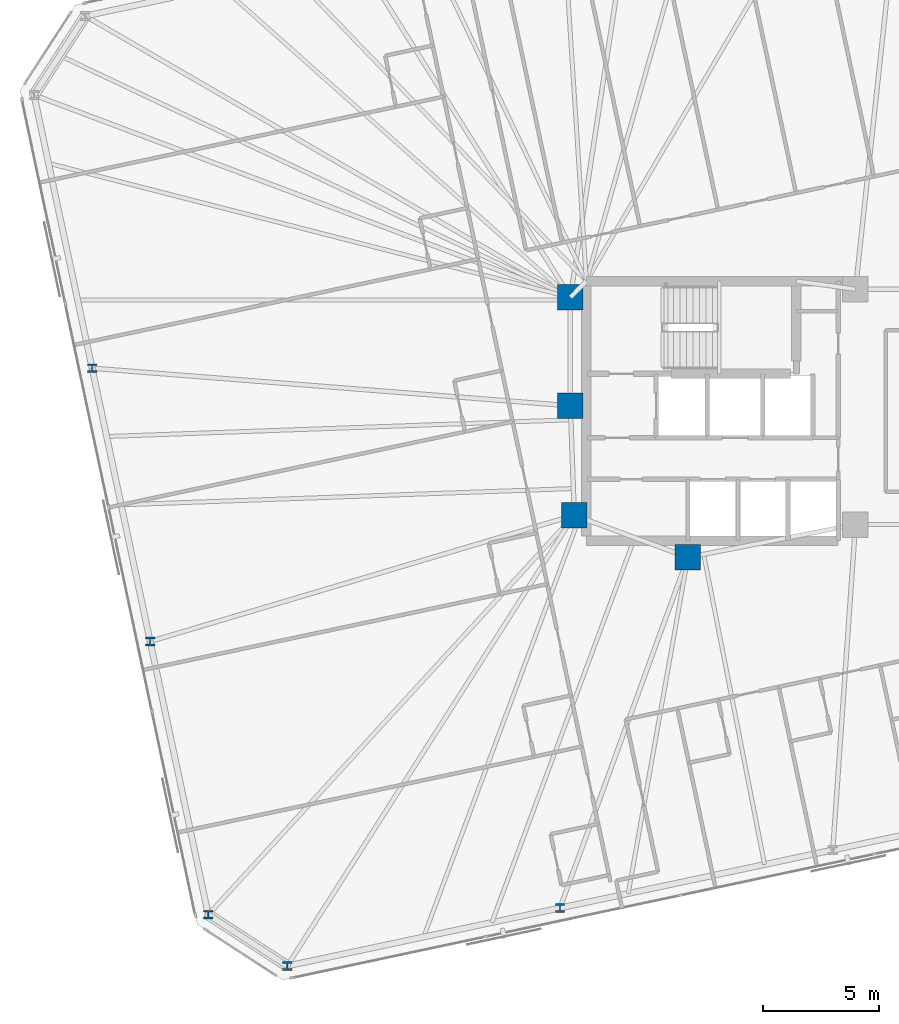
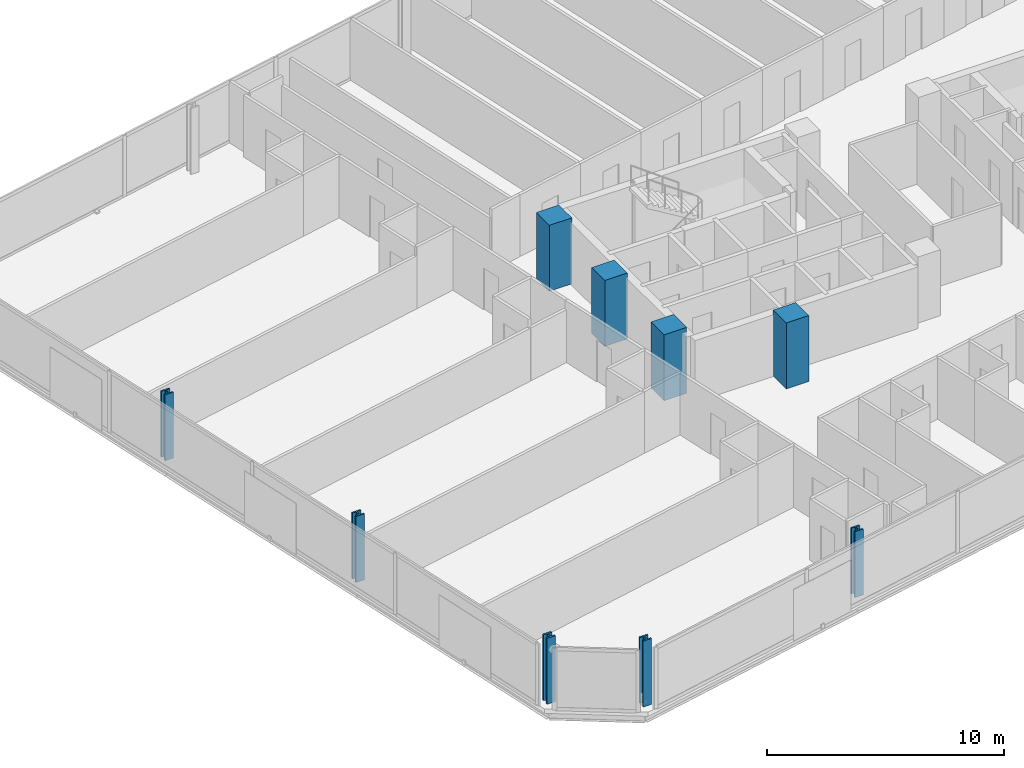
# One storey, part 1 of 21: 9 columns.
"""IFC4 building model written with IfcOpenShell, lengths in metres."""

from ifc_helpers import new_model, si_unit, direction, frame, origin, origin_2d, place, context, subcontext, project, spatial, rectangle, i_section, extrude, material, material_profile, profile_set, type_object, element, save


model = new_model("IFC4")

# Units and contexts
model_context = context("Model", 3, precision=1e-05, world=origin(), true_north=direction((0.0, 1.0)))
body_context = subcontext(model_context, "Body", "Model", "MODEL_VIEW")
ifc_project = project(units=[si_unit("LENGTHUNIT", "METRE"), si_unit("AREAUNIT", "SQUARE_METRE"), si_unit("VOLUMEUNIT", "CUBIC_METRE"), si_unit("PLANEANGLEUNIT", "RADIAN"), si_unit("MASSUNIT", "GRAM", prefix="KILO")], contexts=[model_context])

# Site, building, storey
site_placement = place(None, origin())
site = spatial("IfcSite", under=ifc_project, at=site_placement, CompositionType="ELEMENT")
building_placement = place(site_placement, origin())
building = spatial("IfcBuilding", under=site, at=building_placement, Name="Menara Jurai Vektor", CompositionType="ELEMENT")
storey_placement = place(building_placement, frame((0.0, 0.0, 168.39990234375)))
storey = spatial("IfcBuildingStorey", under=building, at=storey_placement, Name="L43", CompositionType="ELEMENT", Elevation=168.39990234375)

# Columns
ifc_material_1 = material(Name="Concrete C50/60", Category="concrete")
ifc_material_profile_1 = material_profile(ifc_material_1, rectangle(XDim=1.10009765625, YDim=1.10009765625, at=origin_2d()), Name="RC 1100x1100")
ifc_profile_set_1 = profile_set([ifc_material_profile_1], Name="Concrete C50/60")
column_type_1 = type_object("IfcColumnType", Name="STR-COL-RC1100", PredefinedType="COLUMN", material=ifc_profile_set_1)
for number, where, z_axis, x_axis, name in (
    (1, (-15.25, 4.89990234375, 0.0), (0.0, 0.0, 1.0), (1.0, 0.0, 0.0), "Core Spine Column CW-NW L43"),
    (2, (-15.25, 0.219970703125, 0.0), (0.0, 0.0, 1.0), (1.0, 0.0, 0.0), "Core Spine Column CW-WM L43"),
    (3, (-15.080078125, -4.5, 0.0), (0.0, 0.0, 1.0), (1.0, 0.0, 0.0), "Core Spine Column CW-SW L43"),
    (4, (-10.179931640625, -6.320068359375, 0.0), (0.0, 0.0, 1.0), (1.0, 0.0, 0.0), "Core Spine Column CW-SM L43"),
):
    element("IfcColumn", number, at=place(storey_placement, frame(where, z_axis=z_axis, x_axis=x_axis)), inside=storey, type_object=column_type_1, Name=name, PredefinedType="COLUMN", context=body_context, shape_type="SweptSolid", body=[
        extrude(rectangle(XDim=1.10009765625, YDim=1.10009765625, at=origin_2d()), origin(), (0.0, 0.0, 1.0), 3.400146484375),
    ])
ifc_material_2 = material(Name="Steel S460", Category="steel")
ifc_material_profile_2 = material_profile(ifc_material_2, i_section(OverallWidth=0.408935546875, OverallDepth=0.3740234375, WebThickness=0.048095703125, FlangeThickness=0.076904296875, FilletRadius=0.014892578125, at=origin_2d()), Name="HD 400x634")
ifc_profile_set_2 = profile_set([ifc_material_profile_2], Name="Steel S460")
column_type_2 = type_object("IfcColumnType", Name="STR-EXO-BLK3", PredefinedType="COLUMN", material=ifc_profile_set_2)
for number, where, z_axis, x_axis, name in (
    (5, (-27.46484375, -23.94580078125, 0.0), (0.0, 0.0, 1.0), (1.0, 0.0, 0.0), "Exoskeleton Column BLK3-S1 L43"),
    (6, (-15.696533203125, -21.4443359375, 0.0), (0.0, 0.0, 1.0), (1.0, 0.0, 0.0), "Exoskeleton Column BLK3-S2 L43"),
    (7, (-35.8828125, 1.843505859375, 0.0), (0.0, 0.0, 1.0), (1.0, 0.0, 0.0), "Exoskeleton Column BLK3-W2 L43"),
    (8, (-33.377197265625, -9.945068359375, 0.0), (0.0, 0.0, 1.0), (1.0, 0.0, 0.0), "Exoskeleton Column BLK3-W3 L43"),
    (9, (-30.871337890625, -21.7333984375, 0.0), (0.0, 0.0, 1.0), (1.0, 0.0, 0.0), "Exoskeleton Column BLK3-W4 L43"),
):
    element("IfcColumn", number, at=place(storey_placement, frame(where, z_axis=z_axis, x_axis=x_axis)), inside=storey, type_object=column_type_2, Name=name, PredefinedType="COLUMN", context=body_context, shape_type="SweptSolid", body=[
        extrude(i_section(OverallWidth=0.408935546875, OverallDepth=0.3740234375, WebThickness=0.048095703125, FlangeThickness=0.076904296875, FilletRadius=0.014892578125, at=origin_2d()), origin(), (0.0, 0.0, 1.0), 3.400146484375),
    ])

save(model, "model.ifc")
